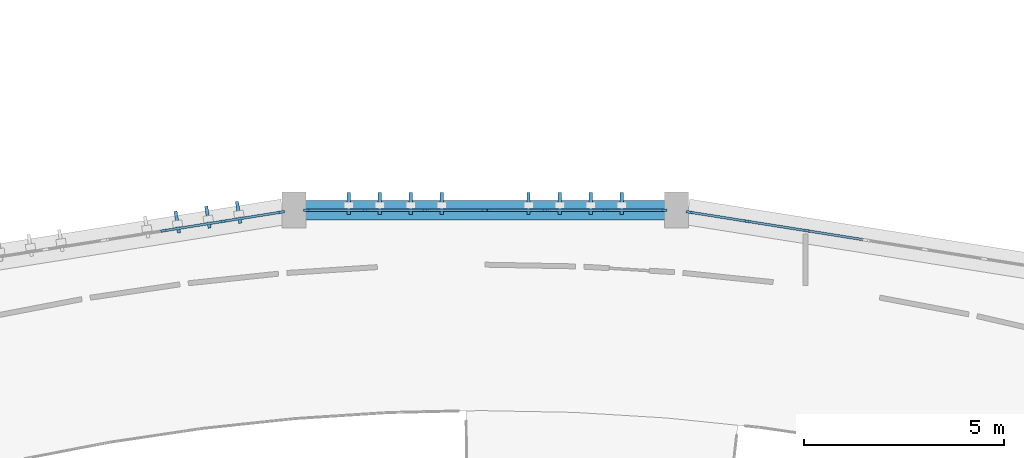
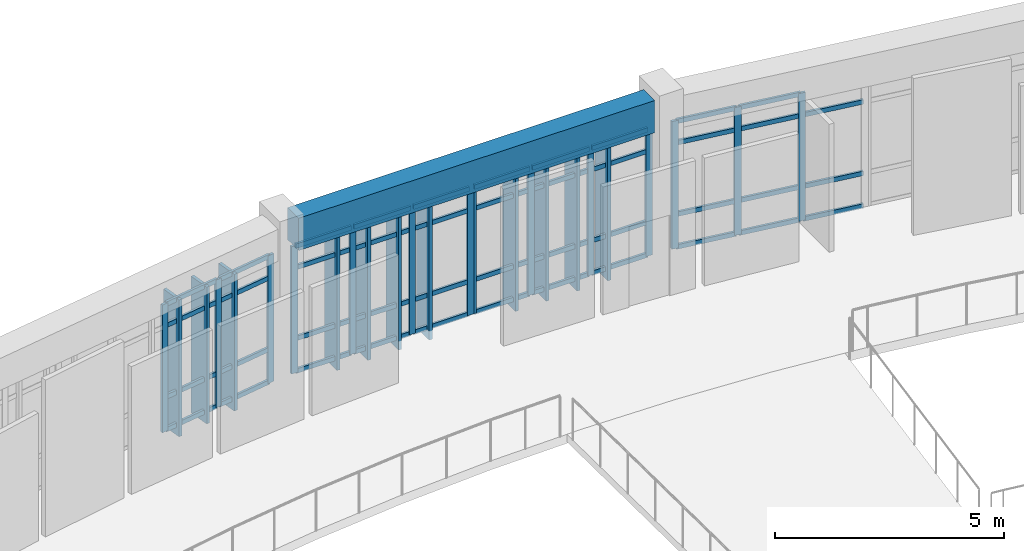
# One storey, part 20 of 57: 68 members, 1 beam, 4 elements without a shape of their own.
"""IFC4 building model written with IfcOpenShell, lengths in metres."""

import ifcopenshell
import ifcopenshell.guid

model = None  # the IFC model being written
_history = None  # IfcOwnerHistory: only IFC2X3 demands one
_inside = {}  # id of a spatial element -> (the spatial element, [elements in it])
_under = {}  # id of a project, library or spatial element -> (it, [spatial elements below it])
_declared = {}  # id of a project -> (the project, [libraries it declares])
_typed = {}  # id of a type object -> (the type object, [elements of that type])
_made_of = {}  # id of a material, layer set ... -> (it, [elements and type objects made of it])


def new_model(schema):
    """Start an empty IFC model of exactly this schema.

    Asked for "IFC4X3", IfcOpenShell would pick the latest addendum, in which some entities
    have other attributes; the version numbers below select the first issue.
    IFC2X3 requires an IfcOwnerHistory on every rooted entity: one is made here for all.
    """
    global model, _history
    if schema == "IFC4X3":
        model = ifcopenshell.file(schema_version=(4, 3, 0, 0))
    else:
        model = ifcopenshell.file(schema=schema)
    _inside.clear()
    _under.clear()
    _declared.clear()
    _typed.clear()
    _made_of.clear()
    _history = None
    if model.schema == "IFC2X3":
        org = make("IfcOrganization", Name="unknown")
        user = make(
            "IfcPersonAndOrganization",
            ThePerson=make("IfcPerson", FamilyName="unknown"),
            TheOrganization=org,
        )
        app = make(
            "IfcApplication",
            ApplicationDeveloper=org,
            Version="unknown",
            ApplicationFullName="unknown",
            ApplicationIdentifier="unknown",
        )
        _history = make(
            "IfcOwnerHistory",
            OwningUser=user,
            OwningApplication=app,
            ChangeAction="ADDED",
            CreationDate=0,
        )
    return model


def make(cls, **values):
    """One entity of the class cls with the attributes given. An attribute that is None is left unset."""
    return model.create_entity(
        cls, **{name: value for name, value in values.items() if value is not None}
    )


def rooted(cls, **values):
    """An entity with a GlobalId (a new one), such as an element, a storey or a relation."""
    return make(cls, GlobalId=ifcopenshell.guid.new(), OwnerHistory=_history, **values)


def si_unit(unit_type, name, prefix=None):
    """IfcSIUnit, for example si_unit("LENGTHUNIT", "METRE", prefix="MILLI")."""
    return make("IfcSIUnit", UnitType=unit_type, Prefix=prefix, Name=name)


def assignment(units):
    """IfcUnitAssignment: the units of a project."""
    return None if units is None else make("IfcUnitAssignment", Units=units)


def point(xyz):
    """IfcCartesianPoint."""
    return None if xyz is None else make("IfcCartesianPoint", Coordinates=xyz)


def direction(xyz):
    """IfcDirection."""
    return None if xyz is None else make("IfcDirection", DirectionRatios=xyz)


def frame(location, z_axis=None, x_axis=None):
    """IfcAxis2Placement3D, a coordinate frame: its origin and axes. An axis left out is left unset."""
    return make(
        "IfcAxis2Placement3D",
        Location=point(location),
        Axis=direction(z_axis),
        RefDirection=direction(x_axis),
    )


def frame_2d(location, x_axis=None):
    """IfcAxis2Placement2D, a coordinate frame in the plane: its origin and x axis."""
    return make(
        "IfcAxis2Placement2D", Location=point(location), RefDirection=direction(x_axis)
    )


def origin():
    """The frame at (0, 0, 0) with its axes left unset."""
    return frame((0.0, 0.0, 0.0))


def origin_2d():
    """The frame at (0, 0) in the plane with its x axis left unset."""
    return frame_2d((0.0, 0.0))


def place(relative_to, where):
    """IfcLocalPlacement: puts the frame where relative to a parent placement (None: the world)."""
    return make(
        "IfcLocalPlacement", PlacementRelTo=relative_to, RelativePlacement=where
    )


def context(
    kind, dimensions, precision=None, world=None, true_north=None, identifier=None
):
    """IfcGeometricRepresentationContext, for example the 3D "Model" context."""
    return make(
        "IfcGeometricRepresentationContext",
        ContextIdentifier=identifier,
        ContextType=kind,
        CoordinateSpaceDimension=dimensions,
        Precision=precision,
        WorldCoordinateSystem=world,
        TrueNorth=true_north,
    )


def subcontext(parent, identifier, kind, view, scale=None):
    """IfcGeometricRepresentationSubContext, for example "Body" below "Model"."""
    return make(
        "IfcGeometricRepresentationSubContext",
        ContextIdentifier=identifier,
        ContextType=kind,
        ParentContext=parent,
        TargetScale=scale,
        TargetView=view,
    )


def project(units=None, contexts=None):
    """IfcProject with its units and contexts."""
    return rooted(
        "IfcProject",
        Name="project",
        RepresentationContexts=contexts,
        UnitsInContext=assignment(units),
    )


def spatial(cls, under=None, at=None, **own):
    """A site, building, storey or space (cls), placed at a placement, below another one or the project."""
    s = rooted(cls, ObjectPlacement=at, **own)
    if under is not None:
        _under.setdefault(under.id(), (under, []))[1].append(s)
    return s


def profile(cls, at=None, kind="AREA", **sizes):
    """A parametric profile (cls). Its sizes go by their IFC names, for example OverallWidth=200.0."""
    return make(cls, ProfileType=kind, Position=at, **sizes)


def rectangle(**sizes):
    """IfcRectangleProfileDef."""
    return profile("IfcRectangleProfileDef", **sizes)


def extrude(swept, where, along, depth):
    """IfcExtrudedAreaSolid: the profile swept, set in the frame where, extruded along a direction by depth."""
    return make(
        "IfcExtrudedAreaSolid",
        SweptArea=swept,
        Position=where,
        ExtrudedDirection=direction(along),
        Depth=depth,
    )


def shape(context_of_items, identifier, shape_type, items):
    """IfcShapeRepresentation: the items that make up one representation, for example the "Body"."""
    return make(
        "IfcShapeRepresentation",
        ContextOfItems=context_of_items,
        RepresentationIdentifier=identifier,
        RepresentationType=shape_type,
        Items=items,
    )


def material(Name=None, Category=None):
    """IfcMaterial."""
    return make("IfcMaterial", Name=Name, Category=Category)


def layer(
    of_material, thickness, ventilated=None, Name=None, Category=None, Priority=None
):
    """IfcMaterialLayer: one layer of a wall or slab, of a material (None: an air gap)."""
    return make(
        "IfcMaterialLayer",
        Material=of_material,
        LayerThickness=thickness,
        IsVentilated=ventilated,
        Name=Name,
        Category=Category,
        Priority=Priority,
    )


def layer_set(layers, Name=None):
    """IfcMaterialLayerSet."""
    return make("IfcMaterialLayerSet", MaterialLayers=layers, LayerSetName=Name)


def material_profile(
    of_material, cross_section, Name=None, Category=None, Priority=None
):
    """IfcMaterialProfile: a cross section and its material."""
    return make(
        "IfcMaterialProfile",
        Name=Name,
        Material=of_material,
        Profile=cross_section,
        Priority=Priority,
        Category=Category,
    )


def profile_set(profiles, Name=None, composite=None):
    """IfcMaterialProfileSet."""
    return make(
        "IfcMaterialProfileSet",
        Name=Name,
        MaterialProfiles=profiles,
        CompositeProfile=composite,
    )


def made_of(thing, what):
    """Note that an element or type object is made of a material, layer set ...; save() writes the relation."""
    if what is not None:
        _made_of.setdefault(what.id(), (what, []))[1].append(thing)
    return thing


def type_object(cls, material=None, **own):
    """A type object (cls), such as IfcWallType, which elements share."""
    return made_of(rooted(cls, **own), material)


def element(
    cls,
    number,
    at=None,
    inside=None,
    cuts=None,
    type_object=None,
    material=None,
    context=None,
    identifier="Body",
    shape_type=None,
    held_by="IfcProductDefinitionShape",
    body=None,
    shapes=None,
    **own,
):
    """One element of the class cls, such as IfcWall. Its Tag is "e" and its number.

    at: its placement. inside: the storey or other place that contains it. cuts: it is an
    opening in that element (IfcRelVoidsElement). A single representation is given by context,
    identifier, shape_type and body (its items); several are given by shapes. held_by: the class
    of the entity that holds the representations. save() writes the other relations.
    """
    e = rooted(cls, Tag="e%d" % number, ObjectPlacement=at, **own)
    if body is not None:
        shapes = [shape(context, identifier, shape_type, body)]
    if shapes is not None:
        e.Representation = make(held_by, Representations=shapes)
    if inside is not None:
        _inside.setdefault(inside.id(), (inside, []))[1].append(e)
    if cuts is not None:
        rooted(
            "IfcRelVoidsElement", RelatingBuildingElement=cuts, RelatedOpeningElement=e
        )
    if type_object is not None:
        _typed.setdefault(type_object.id(), (type_object, []))[1].append(e)
    return made_of(e, material)


def aggregate(whole, parts):
    """IfcRelAggregates: a whole, such as a stair, and the parts it consists of."""
    return rooted("IfcRelAggregates", RelatingObject=whole, RelatedObjects=parts)


def save(model, path):
    """Write the relations noted so far, then the file.

    IfcRelAggregates (storeys below a building ...), IfcRelContainedInSpatialStructure (elements
    in a storey), IfcRelDefinesByType, IfcRelAssociatesMaterial and IfcRelDeclares: one each for
    every whole, place, type object, material and project.
    """
    for whole, parts in _under.values():
        aggregate(whole, parts)
    for where, things in _inside.values():
        rooted(
            "IfcRelContainedInSpatialStructure",
            RelatedElements=things,
            RelatingStructure=where,
        )
    for kind, things in _typed.values():
        rooted("IfcRelDefinesByType", RelatedObjects=things, RelatingType=kind)
    for what, things in _made_of.values():
        rooted("IfcRelAssociatesMaterial", RelatedObjects=things, RelatingMaterial=what)
    for by, libraries in _declared.values():
        rooted("IfcRelDeclares", RelatingContext=by, RelatedDefinitions=libraries)
    model.write(path)


model = new_model("IFC4")

# Units and contexts
model_context = context("Model", 3, precision=1e-05, world=origin(), true_north=direction((0.0, 1.0)))
body_context = subcontext(model_context, "Body", "Model", "MODEL_VIEW")
ifc_project = project(units=[si_unit("LENGTHUNIT", "METRE"), si_unit("AREAUNIT", "SQUARE_METRE"), si_unit("VOLUMEUNIT", "CUBIC_METRE"), si_unit("PLANEANGLEUNIT", "RADIAN"), si_unit("MASSUNIT", "GRAM", prefix="KILO")], contexts=[model_context])

# Site, building, storey
site_placement = place(None, origin())
site = spatial("IfcSite", under=ifc_project, at=site_placement, CompositionType="ELEMENT")
building_placement = place(site_placement, origin())
building = spatial("IfcBuilding", under=site, at=building_placement, Name="Miralva Faculty of Natural Sciences", CompositionType="ELEMENT")
storey_placement = place(building_placement, frame((0.0, 0.0, 15.0)))
storey = spatial("IfcBuildingStorey", under=building, at=storey_placement, Name="L03", CompositionType="ELEMENT", Elevation=15.0)

# Beam
ifc_material_1 = material(Name="Concrete C40/50", Category="concrete")
ifc_material_profile_1 = material_profile(ifc_material_1, rectangle(XDim=0.47998046875, YDim=0.860107421875, at=origin_2d()), Name="RC 480x860")
ifc_profile_set_1 = profile_set([ifc_material_profile_1], Name="Concrete C40/50")
beam_type = type_object("IfcBeamType", Name="BM-BG17", PredefinedType="BEAM", material=ifc_profile_set_1)
beam_placement = place(storey_placement, frame((85.510009765625, 39.81005859375, 3.830078125), z_axis=(1.0, 0.0, 0.0), x_axis=(0.0, 1.0, 0.0)))
element("IfcBeam", 1, at=beam_placement, inside=storey, type_object=beam_type, Name="Girder EW L03-35", PredefinedType="BEAM", context=body_context, shape_type="SweptSolid", body=[
    extrude(rectangle(XDim=0.47998046875, YDim=0.860107421875, at=origin_2d()), origin(), (0.0, 0.0, 1.0), 8.97998046875),
])

# Curtain wall, members
ifc_material_2 = material(Name="Laminated solar-control glass", Category="glass")
ifc_layer = layer(ifc_material_2, 0.179931640625, Name="CW-ARC-L03")
ifc_layer_set = layer_set([ifc_layer], Name="Laminated solar-control glass")
curtain_wall_type = type_object("IfcCurtainWallType", Name="CW-ARC-L03", PredefinedType="USERDEFINED", material=ifc_layer_set)
curtain_wall_1_placement = place(storey_placement, origin())
curtain_wall_1 = element("IfcCurtainWall", 2, at=curtain_wall_1_placement, inside=storey, type_object=curtain_wall_type, Name="Curtain wall CW-03 L03-132", ObjectType="UNITISED CURTAIN WALL", PredefinedType="USERDEFINED")
ifc_material_3 = material(Name="Anodised aluminium", Category="aluminium")
ifc_material_profile_2 = material_profile(ifc_material_3, rectangle(XDim=0.06494140625, YDim=0.159912109375, at=origin_2d()), Name="MULLION 65x160")
ifc_profile_set_2 = profile_set([ifc_material_profile_2], Name="Anodised aluminium")
member_type_1 = type_object("IfcMemberType", Name="CW-M02", PredefinedType="MULLION", material=ifc_profile_set_2)
member_1_placement = place(storey_placement, frame((81.965576171875, 39.29736328125, 0.0), z_axis=(0.0, 0.0, 1.0), x_axis=(-0.156414990722, 0.987691424827, 0.0)))
member_1 = element("IfcMember", 3, at=member_1_placement, type_object=member_type_1, Name="CW-03 mullion 2", PredefinedType="MULLION", context=body_context, shape_type="SweptSolid", body=[
    extrude(rectangle(XDim=0.06494140625, YDim=0.159912109375, at=origin_2d()), origin(), (0.0, 0.0, 1.0), 3.405029296875),
])
member_2_placement = place(storey_placement, frame((83.448974609375, 39.532470703125, 0.0), z_axis=(0.0, 0.0, 1.0), x_axis=(-0.156414990722, 0.987691424827, 0.0)))
member_2 = element("IfcMember", 4, at=member_2_placement, type_object=member_type_1, Name="CW-03 mullion 3", PredefinedType="MULLION", context=body_context, shape_type="SweptSolid", body=[
    extrude(rectangle(XDim=0.06494140625, YDim=0.159912109375, at=origin_2d()), origin(), (0.0, 0.0, 1.0), 3.405029296875),
])
member_3_placement = place(storey_placement, frame((84.900390625, 39.76220703125, 0.0), z_axis=(0.0, 0.0, 1.0), x_axis=(-0.156414990722, 0.987691424827, 0.0)))
member_3 = element("IfcMember", 5, at=member_3_placement, type_object=member_type_1, Name="CW-03 mullion 4", PredefinedType="MULLION", context=body_context, shape_type="SweptSolid", body=[
    extrude(rectangle(XDim=0.06494140625, YDim=0.159912109375, at=origin_2d()), origin(), (0.0, 0.0, 1.0), 3.405029296875),
])

curtain_wall_2_placement = place(storey_placement, origin())
curtain_wall_2 = element("IfcCurtainWall", 6, at=curtain_wall_2_placement, inside=storey, type_object=curtain_wall_type, Name="Curtain wall CW-03 L03-133", ObjectType="UNITISED CURTAIN WALL", PredefinedType="USERDEFINED")
member_4_placement = place(storey_placement, frame((85.531494140625, 39.81201171875, 0.0), z_axis=(0.0, 0.0, 1.0), x_axis=(0.0, 1.0, 0.0)))
member_4 = element("IfcMember", 7, at=member_4_placement, type_object=member_type_1, Name="CW-03 mullion 1", PredefinedType="MULLION", context=body_context, shape_type="SweptSolid", body=[
    extrude(rectangle(XDim=0.06494140625, YDim=0.159912109375, at=origin_2d()), origin(), (0.0, 0.0, 1.0), 3.39501953125),
])
member_5_placement = place(storey_placement, frame((86.999267578125, 39.81201171875, 0.0), z_axis=(0.0, 0.0, 1.0), x_axis=(0.0, 1.0, 0.0)))
member_5 = element("IfcMember", 8, at=member_5_placement, type_object=member_type_1, Name="CW-03 mullion 2", PredefinedType="MULLION", context=body_context, shape_type="SweptSolid", body=[
    extrude(rectangle(XDim=0.06494140625, YDim=0.159912109375, at=origin_2d()), origin(), (0.0, 0.0, 1.0), 3.39501953125),
])
member_6_placement = place(storey_placement, frame((88.499755859375, 39.81201171875, 0.0), z_axis=(0.0, 0.0, 1.0), x_axis=(0.0, 1.0, 0.0)))
member_6 = element("IfcMember", 9, at=member_6_placement, type_object=member_type_1, Name="CW-03 mullion 3", PredefinedType="MULLION", context=body_context, shape_type="SweptSolid", body=[
    extrude(rectangle(XDim=0.06494140625, YDim=0.159912109375, at=origin_2d()), origin(), (0.0, 0.0, 1.0), 3.39501953125),
])
member_7_placement = place(storey_placement, frame((89.967529296875, 39.81201171875, 0.0), z_axis=(0.0, 0.0, 1.0), x_axis=(0.0, 1.0, 0.0)))
member_7 = element("IfcMember", 10, at=member_7_placement, type_object=member_type_1, Name="CW-03 mullion 4", PredefinedType="MULLION", context=body_context, shape_type="SweptSolid", body=[
    extrude(rectangle(XDim=0.06494140625, YDim=0.159912109375, at=origin_2d()), origin(), (0.0, 0.0, 1.0), 3.39501953125),
])

curtain_wall_3_placement = place(storey_placement, origin())
curtain_wall_3 = element("IfcCurtainWall", 11, at=curtain_wall_3_placement, inside=storey, type_object=curtain_wall_type, Name="Curtain wall CW-03 L03-134", ObjectType="UNITISED CURTAIN WALL", PredefinedType="USERDEFINED")
member_8_placement = place(storey_placement, frame((90.027587890625, 39.81201171875, 0.0), z_axis=(0.0, 0.0, 1.0), x_axis=(0.0, 1.0, 0.0)))
member_8 = element("IfcMember", 12, at=member_8_placement, type_object=member_type_1, Name="CW-03 mullion 1", PredefinedType="MULLION", context=body_context, shape_type="SweptSolid", body=[
    extrude(rectangle(XDim=0.06494140625, YDim=0.159912109375, at=origin_2d()), origin(), (0.0, 0.0, 1.0), 3.39501953125),
])
member_9_placement = place(storey_placement, frame((91.4970703125, 39.81201171875, 0.0), z_axis=(0.0, 0.0, 1.0), x_axis=(0.0, 1.0, 0.0)))
member_9 = element("IfcMember", 13, at=member_9_placement, type_object=member_type_1, Name="CW-03 mullion 2", PredefinedType="MULLION", context=body_context, shape_type="SweptSolid", body=[
    extrude(rectangle(XDim=0.06494140625, YDim=0.159912109375, at=origin_2d()), origin(), (0.0, 0.0, 1.0), 3.39501953125),
])
member_10_placement = place(storey_placement, frame((92.9990234375, 39.81201171875, 0.0), z_axis=(0.0, 0.0, 1.0), x_axis=(0.0, 1.0, 0.0)))
member_10 = element("IfcMember", 14, at=member_10_placement, type_object=member_type_1, Name="CW-03 mullion 3", PredefinedType="MULLION", context=body_context, shape_type="SweptSolid", body=[
    extrude(rectangle(XDim=0.06494140625, YDim=0.159912109375, at=origin_2d()), origin(), (0.0, 0.0, 1.0), 3.39501953125),
])
member_11_placement = place(storey_placement, frame((94.468505859375, 39.81201171875, 0.0), z_axis=(0.0, 0.0, 1.0), x_axis=(0.0, 1.0, 0.0)))
member_11 = element("IfcMember", 15, at=member_11_placement, type_object=member_type_1, Name="CW-03 mullion 4", PredefinedType="MULLION", context=body_context, shape_type="SweptSolid", body=[
    extrude(rectangle(XDim=0.06494140625, YDim=0.159912109375, at=origin_2d()), origin(), (0.0, 0.0, 1.0), 3.39501953125),
])

curtain_wall_4_placement = place(storey_placement, origin())
curtain_wall_4 = element("IfcCurtainWall", 16, at=curtain_wall_4_placement, inside=storey, type_object=curtain_wall_type, Name="Curtain wall CW-03 L03-135", ObjectType="UNITISED CURTAIN WALL", PredefinedType="USERDEFINED")
member_12_placement = place(storey_placement, frame((95.099609375, 39.76220703125, 0.0), z_axis=(0.0, 0.0, 1.0), x_axis=(0.15640978572, 0.987692249099, 0.0)))
member_12 = element("IfcMember", 17, at=member_12_placement, type_object=member_type_1, Name="CW-03 mullion 1", PredefinedType="MULLION", context=body_context, shape_type="SweptSolid", body=[
    extrude(rectangle(XDim=0.06494140625, YDim=0.159912109375, at=origin_2d()), origin(), (0.0, 0.0, 1.0), 3.405029296875),
])
member_13_placement = place(storey_placement, frame((96.54931640625, 39.53271484375, 0.0), z_axis=(0.0, 0.0, 1.0), x_axis=(0.15640978572, 0.987692249099, 0.0)))
member_13 = element("IfcMember", 18, at=member_13_placement, type_object=member_type_1, Name="CW-03 mullion 2", PredefinedType="MULLION", context=body_context, shape_type="SweptSolid", body=[
    extrude(rectangle(XDim=0.06494140625, YDim=0.159912109375, at=origin_2d()), origin(), (0.0, 0.0, 1.0), 3.405029296875),
])
member_14_placement = place(storey_placement, frame((98.03125, 39.2978515625, 0.0), z_axis=(0.0, 0.0, 1.0), x_axis=(0.15640978572, 0.987692249099, 0.0)))
member_14 = element("IfcMember", 19, at=member_14_placement, type_object=member_type_1, Name="CW-03 mullion 3", PredefinedType="MULLION", context=body_context, shape_type="SweptSolid", body=[
    extrude(rectangle(XDim=0.06494140625, YDim=0.159912109375, at=origin_2d()), origin(), (0.0, 0.0, 1.0), 3.405029296875),
])

# Member
ifc_material_profile_3 = material_profile(ifc_material_3, rectangle(XDim=0.06005859375, YDim=0.1201171875, at=origin_2d()), Name="TRANSOM 60x120")
ifc_profile_set_3 = profile_set([ifc_material_profile_3], Name="Anodised aluminium")
member_type_2 = type_object("IfcMemberType", Name="CW-T02", PredefinedType="USERDEFINED", material=ifc_profile_set_3)
member_15_placement = place(storey_placement, frame((81.99755859375, 39.302490234375, 0.030029296875), z_axis=(0.987684327904, 0.156459798074, 0.0), x_axis=(-0.156459798074, 0.987684327904, 0.0)))
member_15 = element("IfcMember", 20, at=member_15_placement, type_object=member_type_2, Name="CW-03 transom 2.1", ObjectType="TRANSOM", PredefinedType="USERDEFINED", context=body_context, shape_type="SweptSolid", body=[
    extrude(rectangle(XDim=0.06005859375, YDim=0.1201171875, at=origin_2d()), origin(), (0.0, 0.0, 1.0), 1.43701171875),
])

member_16_placement = place(storey_placement, frame((81.99755859375, 39.302490234375, 0.89990234375), z_axis=(0.987684327904, 0.156459798074, 0.0), x_axis=(-0.156459798074, 0.987684327904, 0.0)))
member_16 = element("IfcMember", 21, at=member_16_placement, type_object=member_type_2, Name="CW-03 transom 2.2", ObjectType="TRANSOM", PredefinedType="USERDEFINED", context=body_context, shape_type="SweptSolid", body=[
    extrude(rectangle(XDim=0.06005859375, YDim=0.1201171875, at=origin_2d()), origin(), (0.0, 0.0, 1.0), 1.43701171875),
])

member_17_placement = place(storey_placement, frame((81.99755859375, 39.302490234375, 2.804931640625), z_axis=(0.987684327904, 0.156459798074, 0.0), x_axis=(-0.156459798074, 0.987684327904, 0.0)))
member_17 = element("IfcMember", 22, at=member_17_placement, type_object=member_type_2, Name="CW-03 transom 2.3", ObjectType="TRANSOM", PredefinedType="USERDEFINED", context=body_context, shape_type="SweptSolid", body=[
    extrude(rectangle(XDim=0.06005859375, YDim=0.1201171875, at=origin_2d()), origin(), (0.0, 0.0, 1.0), 1.43701171875),
])

member_18_placement = place(storey_placement, frame((81.99755859375, 39.302490234375, 3.375), z_axis=(0.987684327904, 0.156459798074, 0.0), x_axis=(-0.156459798074, 0.987684327904, 0.0)))
member_18 = element("IfcMember", 23, at=member_18_placement, type_object=member_type_2, Name="CW-03 transom 2.4", ObjectType="TRANSOM", PredefinedType="USERDEFINED", context=body_context, shape_type="SweptSolid", body=[
    extrude(rectangle(XDim=0.06005859375, YDim=0.1201171875, at=origin_2d()), origin(), (0.0, 0.0, 1.0), 1.43701171875),
])

member_19_placement = place(storey_placement, frame((83.481201171875, 39.537353515625, 0.030029296875), z_axis=(0.987686739548, 0.156444573318, 0.0), x_axis=(-0.156444573318, 0.987686739548, 0.0)))
member_19 = element("IfcMember", 24, at=member_19_placement, type_object=member_type_2, Name="CW-03 transom 3.1", ObjectType="TRANSOM", PredefinedType="USERDEFINED", context=body_context, shape_type="SweptSolid", body=[
    extrude(rectangle(XDim=0.06005859375, YDim=0.1201171875, at=origin_2d()), origin(), (0.0, 0.0, 1.0), 1.404541015625),
])

member_20_placement = place(storey_placement, frame((83.481201171875, 39.537353515625, 0.89990234375), z_axis=(0.987686739548, 0.156444573318, 0.0), x_axis=(-0.156444573318, 0.987686739548, 0.0)))
member_20 = element("IfcMember", 25, at=member_20_placement, type_object=member_type_2, Name="CW-03 transom 3.2", ObjectType="TRANSOM", PredefinedType="USERDEFINED", context=body_context, shape_type="SweptSolid", body=[
    extrude(rectangle(XDim=0.06005859375, YDim=0.1201171875, at=origin_2d()), origin(), (0.0, 0.0, 1.0), 1.404541015625),
])

member_21_placement = place(storey_placement, frame((83.481201171875, 39.537353515625, 2.804931640625), z_axis=(0.987686739548, 0.156444573318, 0.0), x_axis=(-0.156444573318, 0.987686739548, 0.0)))
member_21 = element("IfcMember", 26, at=member_21_placement, type_object=member_type_2, Name="CW-03 transom 3.3", ObjectType="TRANSOM", PredefinedType="USERDEFINED", context=body_context, shape_type="SweptSolid", body=[
    extrude(rectangle(XDim=0.06005859375, YDim=0.1201171875, at=origin_2d()), origin(), (0.0, 0.0, 1.0), 1.404541015625),
])

member_22_placement = place(storey_placement, frame((83.481201171875, 39.537353515625, 3.375), z_axis=(0.987686739548, 0.156444573318, 0.0), x_axis=(-0.156444573318, 0.987686739548, 0.0)))
member_22 = element("IfcMember", 27, at=member_22_placement, type_object=member_type_2, Name="CW-03 transom 3.4", ObjectType="TRANSOM", PredefinedType="USERDEFINED", context=body_context, shape_type="SweptSolid", body=[
    extrude(rectangle(XDim=0.06005859375, YDim=0.1201171875, at=origin_2d()), origin(), (0.0, 0.0, 1.0), 1.404541015625),
])

aggregate(curtain_wall_1, [member_1, member_2, member_3, member_15, member_16, member_17, member_18, member_19, member_20, member_21, member_22])

member_23_placement = place(storey_placement, frame((85.56396484375, 39.81201171875, 0.030029296875), z_axis=(1.0, 0.0, 0.0), x_axis=(0.0, 1.0, 0.0)))
member_23 = element("IfcMember", 28, at=member_23_placement, type_object=member_type_2, Name="CW-03 transom 1.1", ObjectType="TRANSOM", PredefinedType="USERDEFINED", context=body_context, shape_type="SweptSolid", body=[
    extrude(rectangle(XDim=0.06005859375, YDim=0.1201171875, at=origin_2d()), origin(), (0.0, 0.0, 1.0), 1.40283203125),
])

member_24_placement = place(storey_placement, frame((85.56396484375, 39.81201171875, 0.89990234375), z_axis=(1.0, 0.0, 0.0), x_axis=(0.0, 1.0, 0.0)))
member_24 = element("IfcMember", 29, at=member_24_placement, type_object=member_type_2, Name="CW-03 transom 1.2", ObjectType="TRANSOM", PredefinedType="USERDEFINED", context=body_context, shape_type="SweptSolid", body=[
    extrude(rectangle(XDim=0.06005859375, YDim=0.1201171875, at=origin_2d()), origin(), (0.0, 0.0, 1.0), 1.40283203125),
])

member_25_placement = place(storey_placement, frame((85.56396484375, 39.81201171875, 2.794921875), z_axis=(1.0, 0.0, 0.0), x_axis=(0.0, 1.0, 0.0)))
member_25 = element("IfcMember", 30, at=member_25_placement, type_object=member_type_2, Name="CW-03 transom 1.3", ObjectType="TRANSOM", PredefinedType="USERDEFINED", context=body_context, shape_type="SweptSolid", body=[
    extrude(rectangle(XDim=0.06005859375, YDim=0.1201171875, at=origin_2d()), origin(), (0.0, 0.0, 1.0), 1.40283203125),
])

member_26_placement = place(storey_placement, frame((85.56396484375, 39.81201171875, 3.364990234375), z_axis=(1.0, 0.0, 0.0), x_axis=(0.0, 1.0, 0.0)))
member_26 = element("IfcMember", 31, at=member_26_placement, type_object=member_type_2, Name="CW-03 transom 1.4", ObjectType="TRANSOM", PredefinedType="USERDEFINED", context=body_context, shape_type="SweptSolid", body=[
    extrude(rectangle(XDim=0.06005859375, YDim=0.1201171875, at=origin_2d()), origin(), (0.0, 0.0, 1.0), 1.40283203125),
])

member_27_placement = place(storey_placement, frame((87.03173828125, 39.81201171875, 0.030029296875), z_axis=(1.0, 0.0, 0.0), x_axis=(0.0, 1.0, 0.0)))
member_27 = element("IfcMember", 32, at=member_27_placement, type_object=member_type_2, Name="CW-03 transom 2.1", ObjectType="TRANSOM", PredefinedType="USERDEFINED", context=body_context, shape_type="SweptSolid", body=[
    extrude(rectangle(XDim=0.06005859375, YDim=0.1201171875, at=origin_2d()), origin(), (0.0, 0.0, 1.0), 1.435546875),
])

member_28_placement = place(storey_placement, frame((87.03173828125, 39.81201171875, 0.89990234375), z_axis=(1.0, 0.0, 0.0), x_axis=(0.0, 1.0, 0.0)))
member_28 = element("IfcMember", 33, at=member_28_placement, type_object=member_type_2, Name="CW-03 transom 2.2", ObjectType="TRANSOM", PredefinedType="USERDEFINED", context=body_context, shape_type="SweptSolid", body=[
    extrude(rectangle(XDim=0.06005859375, YDim=0.1201171875, at=origin_2d()), origin(), (0.0, 0.0, 1.0), 1.435546875),
])

member_29_placement = place(storey_placement, frame((87.03173828125, 39.81201171875, 2.794921875), z_axis=(1.0, 0.0, 0.0), x_axis=(0.0, 1.0, 0.0)))
member_29 = element("IfcMember", 34, at=member_29_placement, type_object=member_type_2, Name="CW-03 transom 2.3", ObjectType="TRANSOM", PredefinedType="USERDEFINED", context=body_context, shape_type="SweptSolid", body=[
    extrude(rectangle(XDim=0.06005859375, YDim=0.1201171875, at=origin_2d()), origin(), (0.0, 0.0, 1.0), 1.435546875),
])

member_30_placement = place(storey_placement, frame((87.03173828125, 39.81201171875, 3.364990234375), z_axis=(1.0, 0.0, 0.0), x_axis=(0.0, 1.0, 0.0)))
member_30 = element("IfcMember", 35, at=member_30_placement, type_object=member_type_2, Name="CW-03 transom 2.4", ObjectType="TRANSOM", PredefinedType="USERDEFINED", context=body_context, shape_type="SweptSolid", body=[
    extrude(rectangle(XDim=0.06005859375, YDim=0.1201171875, at=origin_2d()), origin(), (0.0, 0.0, 1.0), 1.435546875),
])

member_31_placement = place(storey_placement, frame((88.5322265625, 39.81201171875, 0.030029296875), z_axis=(1.0, 0.0, 0.0), x_axis=(0.0, 1.0, 0.0)))
member_31 = element("IfcMember", 36, at=member_31_placement, type_object=member_type_2, Name="CW-03 transom 3.1", ObjectType="TRANSOM", PredefinedType="USERDEFINED", context=body_context, shape_type="SweptSolid", body=[
    extrude(rectangle(XDim=0.06005859375, YDim=0.1201171875, at=origin_2d()), origin(), (0.0, 0.0, 1.0), 1.40283203125),
])

member_32_placement = place(storey_placement, frame((88.5322265625, 39.81201171875, 0.89990234375), z_axis=(1.0, 0.0, 0.0), x_axis=(0.0, 1.0, 0.0)))
member_32 = element("IfcMember", 37, at=member_32_placement, type_object=member_type_2, Name="CW-03 transom 3.2", ObjectType="TRANSOM", PredefinedType="USERDEFINED", context=body_context, shape_type="SweptSolid", body=[
    extrude(rectangle(XDim=0.06005859375, YDim=0.1201171875, at=origin_2d()), origin(), (0.0, 0.0, 1.0), 1.40283203125),
])

member_33_placement = place(storey_placement, frame((88.5322265625, 39.81201171875, 2.794921875), z_axis=(1.0, 0.0, 0.0), x_axis=(0.0, 1.0, 0.0)))
member_33 = element("IfcMember", 38, at=member_33_placement, type_object=member_type_2, Name="CW-03 transom 3.3", ObjectType="TRANSOM", PredefinedType="USERDEFINED", context=body_context, shape_type="SweptSolid", body=[
    extrude(rectangle(XDim=0.06005859375, YDim=0.1201171875, at=origin_2d()), origin(), (0.0, 0.0, 1.0), 1.40283203125),
])

member_34_placement = place(storey_placement, frame((88.5322265625, 39.81201171875, 3.364990234375), z_axis=(1.0, 0.0, 0.0), x_axis=(0.0, 1.0, 0.0)))
member_34 = element("IfcMember", 39, at=member_34_placement, type_object=member_type_2, Name="CW-03 transom 3.4", ObjectType="TRANSOM", PredefinedType="USERDEFINED", context=body_context, shape_type="SweptSolid", body=[
    extrude(rectangle(XDim=0.06005859375, YDim=0.1201171875, at=origin_2d()), origin(), (0.0, 0.0, 1.0), 1.40283203125),
])

aggregate(curtain_wall_2, [member_4, member_5, member_6, member_7, member_23, member_24, member_25, member_26, member_27, member_28, member_29, member_30, member_31, member_32, member_33, member_34])

member_35_placement = place(storey_placement, frame((90.06005859375, 39.81201171875, 0.030029296875), z_axis=(1.0, 0.0, 0.0), x_axis=(0.0, 1.0, 0.0)))
member_35 = element("IfcMember", 40, at=member_35_placement, type_object=member_type_2, Name="CW-03 transom 1.1", ObjectType="TRANSOM", PredefinedType="USERDEFINED", context=body_context, shape_type="SweptSolid", body=[
    extrude(rectangle(XDim=0.06005859375, YDim=0.1201171875, at=origin_2d()), origin(), (0.0, 0.0, 1.0), 1.404541015625),
])

member_36_placement = place(storey_placement, frame((90.06005859375, 39.81201171875, 0.89990234375), z_axis=(1.0, 0.0, 0.0), x_axis=(0.0, 1.0, 0.0)))
member_36 = element("IfcMember", 41, at=member_36_placement, type_object=member_type_2, Name="CW-03 transom 1.2", ObjectType="TRANSOM", PredefinedType="USERDEFINED", context=body_context, shape_type="SweptSolid", body=[
    extrude(rectangle(XDim=0.06005859375, YDim=0.1201171875, at=origin_2d()), origin(), (0.0, 0.0, 1.0), 1.404541015625),
])

member_37_placement = place(storey_placement, frame((90.06005859375, 39.81201171875, 2.794921875), z_axis=(1.0, 0.0, 0.0), x_axis=(0.0, 1.0, 0.0)))
member_37 = element("IfcMember", 42, at=member_37_placement, type_object=member_type_2, Name="CW-03 transom 1.3", ObjectType="TRANSOM", PredefinedType="USERDEFINED", context=body_context, shape_type="SweptSolid", body=[
    extrude(rectangle(XDim=0.06005859375, YDim=0.1201171875, at=origin_2d()), origin(), (0.0, 0.0, 1.0), 1.404541015625),
])

member_38_placement = place(storey_placement, frame((90.06005859375, 39.81201171875, 3.364990234375), z_axis=(1.0, 0.0, 0.0), x_axis=(0.0, 1.0, 0.0)))
member_38 = element("IfcMember", 43, at=member_38_placement, type_object=member_type_2, Name="CW-03 transom 1.4", ObjectType="TRANSOM", PredefinedType="USERDEFINED", context=body_context, shape_type="SweptSolid", body=[
    extrude(rectangle(XDim=0.06005859375, YDim=0.1201171875, at=origin_2d()), origin(), (0.0, 0.0, 1.0), 1.404541015625),
])

member_39_placement = place(storey_placement, frame((91.529541015625, 39.81201171875, 0.030029296875), z_axis=(1.0, 0.0, 0.0), x_axis=(0.0, 1.0, 0.0)))
member_39 = element("IfcMember", 44, at=member_39_placement, type_object=member_type_2, Name="CW-03 transom 2.1", ObjectType="TRANSOM", PredefinedType="USERDEFINED", context=body_context, shape_type="SweptSolid", body=[
    extrude(rectangle(XDim=0.06005859375, YDim=0.1201171875, at=origin_2d()), origin(), (0.0, 0.0, 1.0), 1.43701171875),
])

member_40_placement = place(storey_placement, frame((91.529541015625, 39.81201171875, 0.89990234375), z_axis=(1.0, 0.0, 0.0), x_axis=(0.0, 1.0, 0.0)))
member_40 = element("IfcMember", 45, at=member_40_placement, type_object=member_type_2, Name="CW-03 transom 2.2", ObjectType="TRANSOM", PredefinedType="USERDEFINED", context=body_context, shape_type="SweptSolid", body=[
    extrude(rectangle(XDim=0.06005859375, YDim=0.1201171875, at=origin_2d()), origin(), (0.0, 0.0, 1.0), 1.43701171875),
])

member_41_placement = place(storey_placement, frame((91.529541015625, 39.81201171875, 2.794921875), z_axis=(1.0, 0.0, 0.0), x_axis=(0.0, 1.0, 0.0)))
member_41 = element("IfcMember", 46, at=member_41_placement, type_object=member_type_2, Name="CW-03 transom 2.3", ObjectType="TRANSOM", PredefinedType="USERDEFINED", context=body_context, shape_type="SweptSolid", body=[
    extrude(rectangle(XDim=0.06005859375, YDim=0.1201171875, at=origin_2d()), origin(), (0.0, 0.0, 1.0), 1.43701171875),
])

member_42_placement = place(storey_placement, frame((91.529541015625, 39.81201171875, 3.364990234375), z_axis=(1.0, 0.0, 0.0), x_axis=(0.0, 1.0, 0.0)))
member_42 = element("IfcMember", 47, at=member_42_placement, type_object=member_type_2, Name="CW-03 transom 2.4", ObjectType="TRANSOM", PredefinedType="USERDEFINED", context=body_context, shape_type="SweptSolid", body=[
    extrude(rectangle(XDim=0.06005859375, YDim=0.1201171875, at=origin_2d()), origin(), (0.0, 0.0, 1.0), 1.43701171875),
])

member_43_placement = place(storey_placement, frame((93.031494140625, 39.81201171875, 0.030029296875), z_axis=(1.0, 0.0, 0.0), x_axis=(0.0, 1.0, 0.0)))
member_43 = element("IfcMember", 48, at=member_43_placement, type_object=member_type_2, Name="CW-03 transom 3.1", ObjectType="TRANSOM", PredefinedType="USERDEFINED", context=body_context, shape_type="SweptSolid", body=[
    extrude(rectangle(XDim=0.06005859375, YDim=0.1201171875, at=origin_2d()), origin(), (0.0, 0.0, 1.0), 1.404541015625),
])

member_44_placement = place(storey_placement, frame((93.031494140625, 39.81201171875, 0.89990234375), z_axis=(1.0, 0.0, 0.0), x_axis=(0.0, 1.0, 0.0)))
member_44 = element("IfcMember", 49, at=member_44_placement, type_object=member_type_2, Name="CW-03 transom 3.2", ObjectType="TRANSOM", PredefinedType="USERDEFINED", context=body_context, shape_type="SweptSolid", body=[
    extrude(rectangle(XDim=0.06005859375, YDim=0.1201171875, at=origin_2d()), origin(), (0.0, 0.0, 1.0), 1.404541015625),
])

member_45_placement = place(storey_placement, frame((93.031494140625, 39.81201171875, 2.794921875), z_axis=(1.0, 0.0, 0.0), x_axis=(0.0, 1.0, 0.0)))
member_45 = element("IfcMember", 50, at=member_45_placement, type_object=member_type_2, Name="CW-03 transom 3.3", ObjectType="TRANSOM", PredefinedType="USERDEFINED", context=body_context, shape_type="SweptSolid", body=[
    extrude(rectangle(XDim=0.06005859375, YDim=0.1201171875, at=origin_2d()), origin(), (0.0, 0.0, 1.0), 1.404541015625),
])

member_46_placement = place(storey_placement, frame((93.031494140625, 39.81201171875, 3.364990234375), z_axis=(1.0, 0.0, 0.0), x_axis=(0.0, 1.0, 0.0)))
member_46 = element("IfcMember", 51, at=member_46_placement, type_object=member_type_2, Name="CW-03 transom 3.4", ObjectType="TRANSOM", PredefinedType="USERDEFINED", context=body_context, shape_type="SweptSolid", body=[
    extrude(rectangle(XDim=0.06005859375, YDim=0.1201171875, at=origin_2d()), origin(), (0.0, 0.0, 1.0), 1.404541015625),
])

aggregate(curtain_wall_3, [member_8, member_9, member_10, member_11, member_35, member_36, member_37, member_38, member_39, member_40, member_41, member_42, member_43, member_44, member_45, member_46])

member_47_placement = place(storey_placement, frame((95.131591796875, 39.757080078125, 0.030029296875), z_axis=(0.987688073971, -0.156436148432, 0.0), x_axis=(0.156436148432, 0.987688073971, 0.0)))
member_47 = element("IfcMember", 52, at=member_47_placement, type_object=member_type_2, Name="CW-03 transom 1.1", ObjectType="TRANSOM", PredefinedType="USERDEFINED", context=body_context, shape_type="SweptSolid", body=[
    extrude(rectangle(XDim=0.06005859375, YDim=0.1201171875, at=origin_2d()), origin(), (0.0, 0.0, 1.0), 1.403076171875),
])

member_48_placement = place(storey_placement, frame((95.131591796875, 39.757080078125, 0.89990234375), z_axis=(0.987688073971, -0.156436148432, 0.0), x_axis=(0.156436148432, 0.987688073971, 0.0)))
member_48 = element("IfcMember", 53, at=member_48_placement, type_object=member_type_2, Name="CW-03 transom 1.2", ObjectType="TRANSOM", PredefinedType="USERDEFINED", context=body_context, shape_type="SweptSolid", body=[
    extrude(rectangle(XDim=0.06005859375, YDim=0.1201171875, at=origin_2d()), origin(), (0.0, 0.0, 1.0), 1.403076171875),
])

member_49_placement = place(storey_placement, frame((95.131591796875, 39.757080078125, 2.804931640625), z_axis=(0.987688073971, -0.156436148432, 0.0), x_axis=(0.156436148432, 0.987688073971, 0.0)))
member_49 = element("IfcMember", 54, at=member_49_placement, type_object=member_type_2, Name="CW-03 transom 1.3", ObjectType="TRANSOM", PredefinedType="USERDEFINED", context=body_context, shape_type="SweptSolid", body=[
    extrude(rectangle(XDim=0.06005859375, YDim=0.1201171875, at=origin_2d()), origin(), (0.0, 0.0, 1.0), 1.403076171875),
])

member_50_placement = place(storey_placement, frame((95.131591796875, 39.757080078125, 3.375), z_axis=(0.987688073971, -0.156436148432, 0.0), x_axis=(0.156436148432, 0.987688073971, 0.0)))
member_50 = element("IfcMember", 55, at=member_50_placement, type_object=member_type_2, Name="CW-03 transom 1.4", ObjectType="TRANSOM", PredefinedType="USERDEFINED", context=body_context, shape_type="SweptSolid", body=[
    extrude(rectangle(XDim=0.06005859375, YDim=0.1201171875, at=origin_2d()), origin(), (0.0, 0.0, 1.0), 1.403076171875),
])

member_51_placement = place(storey_placement, frame((96.58154296875, 39.527587890625, 0.030029296875), z_axis=(0.987677300474, -0.156504153709, 0.0), x_axis=(0.156504153709, 0.987677300474, 0.0)))
member_51 = element("IfcMember", 56, at=member_51_placement, type_object=member_type_2, Name="CW-03 transom 2.1", ObjectType="TRANSOM", PredefinedType="USERDEFINED", context=body_context, shape_type="SweptSolid", body=[
    extrude(rectangle(XDim=0.06005859375, YDim=0.1201171875, at=origin_2d()), origin(), (0.0, 0.0, 1.0), 1.43505859375),
])

member_52_placement = place(storey_placement, frame((96.58154296875, 39.527587890625, 0.89990234375), z_axis=(0.987677300474, -0.156504153709, 0.0), x_axis=(0.156504153709, 0.987677300474, 0.0)))
member_52 = element("IfcMember", 57, at=member_52_placement, type_object=member_type_2, Name="CW-03 transom 2.2", ObjectType="TRANSOM", PredefinedType="USERDEFINED", context=body_context, shape_type="SweptSolid", body=[
    extrude(rectangle(XDim=0.06005859375, YDim=0.1201171875, at=origin_2d()), origin(), (0.0, 0.0, 1.0), 1.43505859375),
])

member_53_placement = place(storey_placement, frame((96.58154296875, 39.527587890625, 2.804931640625), z_axis=(0.987677300474, -0.156504153709, 0.0), x_axis=(0.156504153709, 0.987677300474, 0.0)))
member_53 = element("IfcMember", 58, at=member_53_placement, type_object=member_type_2, Name="CW-03 transom 2.3", ObjectType="TRANSOM", PredefinedType="USERDEFINED", context=body_context, shape_type="SweptSolid", body=[
    extrude(rectangle(XDim=0.06005859375, YDim=0.1201171875, at=origin_2d()), origin(), (0.0, 0.0, 1.0), 1.43505859375),
])

member_54_placement = place(storey_placement, frame((96.58154296875, 39.527587890625, 3.375), z_axis=(0.987677300474, -0.156504153709, 0.0), x_axis=(0.156504153709, 0.987677300474, 0.0)))
member_54 = element("IfcMember", 59, at=member_54_placement, type_object=member_type_2, Name="CW-03 transom 2.4", ObjectType="TRANSOM", PredefinedType="USERDEFINED", context=body_context, shape_type="SweptSolid", body=[
    extrude(rectangle(XDim=0.06005859375, YDim=0.1201171875, at=origin_2d()), origin(), (0.0, 0.0, 1.0), 1.43505859375),
])

member_55_placement = place(storey_placement, frame((98.063232421875, 39.29296875, 0.030029296875), z_axis=(0.987688073971, -0.156436148432, 0.0), x_axis=(0.156436148432, 0.987688073971, 0.0)))
member_55 = element("IfcMember", 60, at=member_55_placement, type_object=member_type_2, Name="CW-03 transom 3.1", ObjectType="TRANSOM", PredefinedType="USERDEFINED", context=body_context, shape_type="SweptSolid", body=[
    extrude(rectangle(XDim=0.06005859375, YDim=0.1201171875, at=origin_2d()), origin(), (0.0, 0.0, 1.0), 1.403076171875),
])

member_56_placement = place(storey_placement, frame((98.063232421875, 39.29296875, 0.89990234375), z_axis=(0.987688073971, -0.156436148432, 0.0), x_axis=(0.156436148432, 0.987688073971, 0.0)))
member_56 = element("IfcMember", 61, at=member_56_placement, type_object=member_type_2, Name="CW-03 transom 3.2", ObjectType="TRANSOM", PredefinedType="USERDEFINED", context=body_context, shape_type="SweptSolid", body=[
    extrude(rectangle(XDim=0.06005859375, YDim=0.1201171875, at=origin_2d()), origin(), (0.0, 0.0, 1.0), 1.403076171875),
])

member_57_placement = place(storey_placement, frame((98.063232421875, 39.29296875, 2.804931640625), z_axis=(0.987688073971, -0.156436148432, 0.0), x_axis=(0.156436148432, 0.987688073971, 0.0)))
member_57 = element("IfcMember", 62, at=member_57_placement, type_object=member_type_2, Name="CW-03 transom 3.3", ObjectType="TRANSOM", PredefinedType="USERDEFINED", context=body_context, shape_type="SweptSolid", body=[
    extrude(rectangle(XDim=0.06005859375, YDim=0.1201171875, at=origin_2d()), origin(), (0.0, 0.0, 1.0), 1.403076171875),
])

aggregate(curtain_wall_4, [member_12, member_13, member_14, member_47, member_48, member_49, member_50, member_51, member_52, member_53, member_54, member_55, member_56, member_57])

# Members
ifc_material_profile_4 = material_profile(ifc_material_3, rectangle(XDim=0.080078125, YDim=0.550048828125, at=origin_2d()), Name="FIN 550x80")
ifc_profile_set_4 = profile_set([ifc_material_profile_4], Name="Anodised aluminium")
member_type_3 = type_object("IfcMemberType", Name="MEM-SF01", PredefinedType="USERDEFINED", material=ifc_profile_set_4)
for number, where, z_axis, x_axis, name in (
    (63, (82.298828125, 39.51220703125, -0.239990234375), (0.0, 0.0, 1.0), (-0.987688340595, -0.15643446504, 0.0), "Solar shading fin SF-01 L03-106"),
    (64, (83.065673828125, 39.6337890625, -0.239990234375), (0.0, 0.0, 1.0), (-0.987688340595, -0.15643446504, 0.0), "Solar shading fin SF-01 L03-107"),
    (65, (83.83251953125, 39.755126953125, -0.239990234375), (0.0, 0.0, 1.0), (-0.987688340595, -0.15643446504, 0.0), "Solar shading fin SF-01 L03-108"),
):
    element("IfcMember", number, at=place(storey_placement, frame(where, z_axis=z_axis, x_axis=x_axis)), inside=storey, type_object=member_type_3, Name=name, ObjectType="SUNSHADE", PredefinedType="USERDEFINED", context=body_context, shape_type="SweptSolid", body=[
        extrude(rectangle(XDim=0.080078125, YDim=0.550048828125, at=origin_2d()), origin(), (0.0, 0.0, 1.0), 3.64501953125),
    ])
for number, where, z_axis, x_axis, name in (
    (66, (86.586669921875, 39.971923828125, -0.239990234375), (0.0, 0.0, 1.0), (-1.0, 0.0, 0.0), "Solar shading fin SF-01 L03-109"),
    (67, (87.36181640625, 39.971923828125, -0.239990234375), (0.0, 0.0, 1.0), (-1.0, 0.0, 0.0), "Solar shading fin SF-01 L03-110"),
    (68, (88.13720703125, 39.971923828125, -0.239990234375), (0.0, 0.0, 1.0), (-1.0, 0.0, 0.0), "Solar shading fin SF-01 L03-111"),
    (69, (88.912353515625, 39.971923828125, -0.239990234375), (0.0, 0.0, 1.0), (-1.0, 0.0, 0.0), "Solar shading fin SF-01 L03-112"),
    (70, (91.083251953125, 39.971923828125, -0.239990234375), (0.0, 0.0, 1.0), (-1.0, 0.0, 0.0), "Solar shading fin SF-01 L03-113"),
    (71, (91.85986328125, 39.971923828125, -0.239990234375), (0.0, 0.0, 1.0), (-1.0, 0.0, 0.0), "Solar shading fin SF-01 L03-114"),
    (72, (92.63623046875, 39.971923828125, -0.239990234375), (0.0, 0.0, 1.0), (-1.0, 0.0, 0.0), "Solar shading fin SF-01 L03-115"),
    (73, (93.412841796875, 39.971923828125, -0.239990234375), (0.0, 0.0, 1.0), (-1.0, 0.0, 0.0), "Solar shading fin SF-01 L03-116"),
):
    element("IfcMember", number, at=place(storey_placement, frame(where, z_axis=z_axis, x_axis=x_axis)), inside=storey, type_object=member_type_3, Name=name, ObjectType="SUNSHADE", PredefinedType="USERDEFINED", context=body_context, shape_type="SweptSolid", body=[
        extrude(rectangle(XDim=0.080078125, YDim=0.550048828125, at=origin_2d()), origin(), (0.0, 0.0, 1.0), 3.635009765625),
    ])

save(model, "model.ifc")
